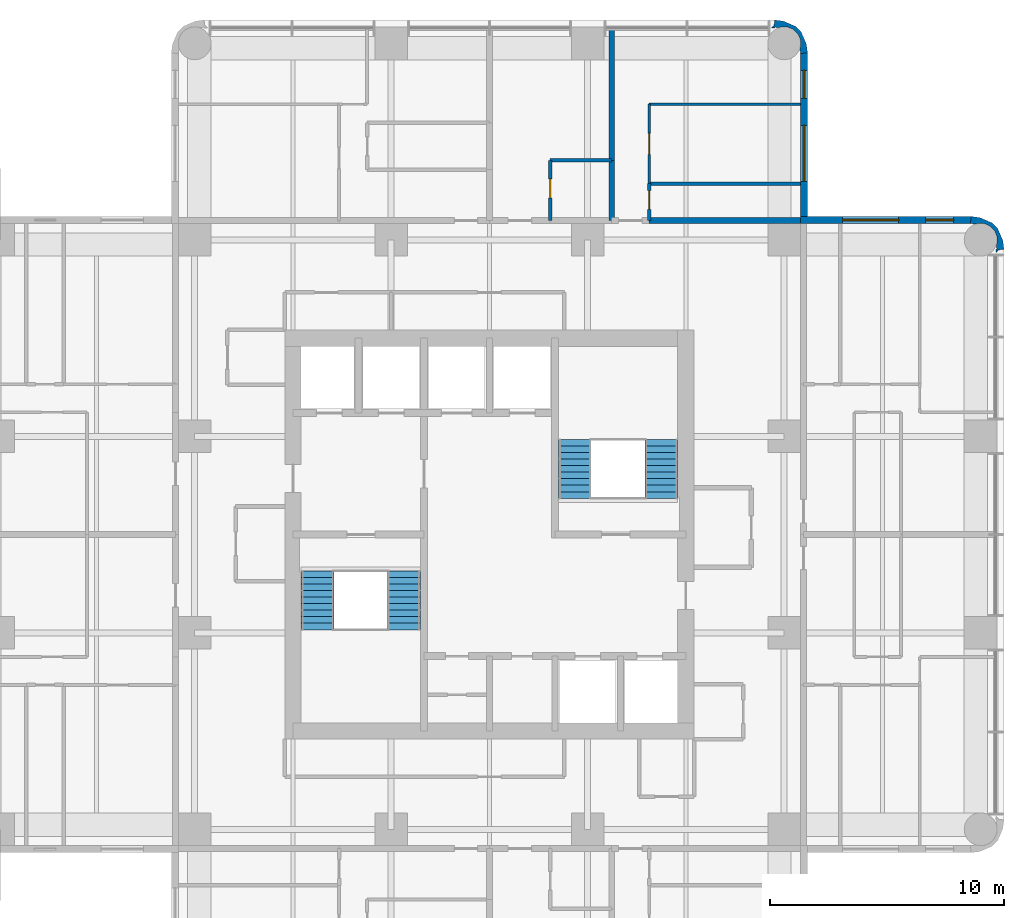
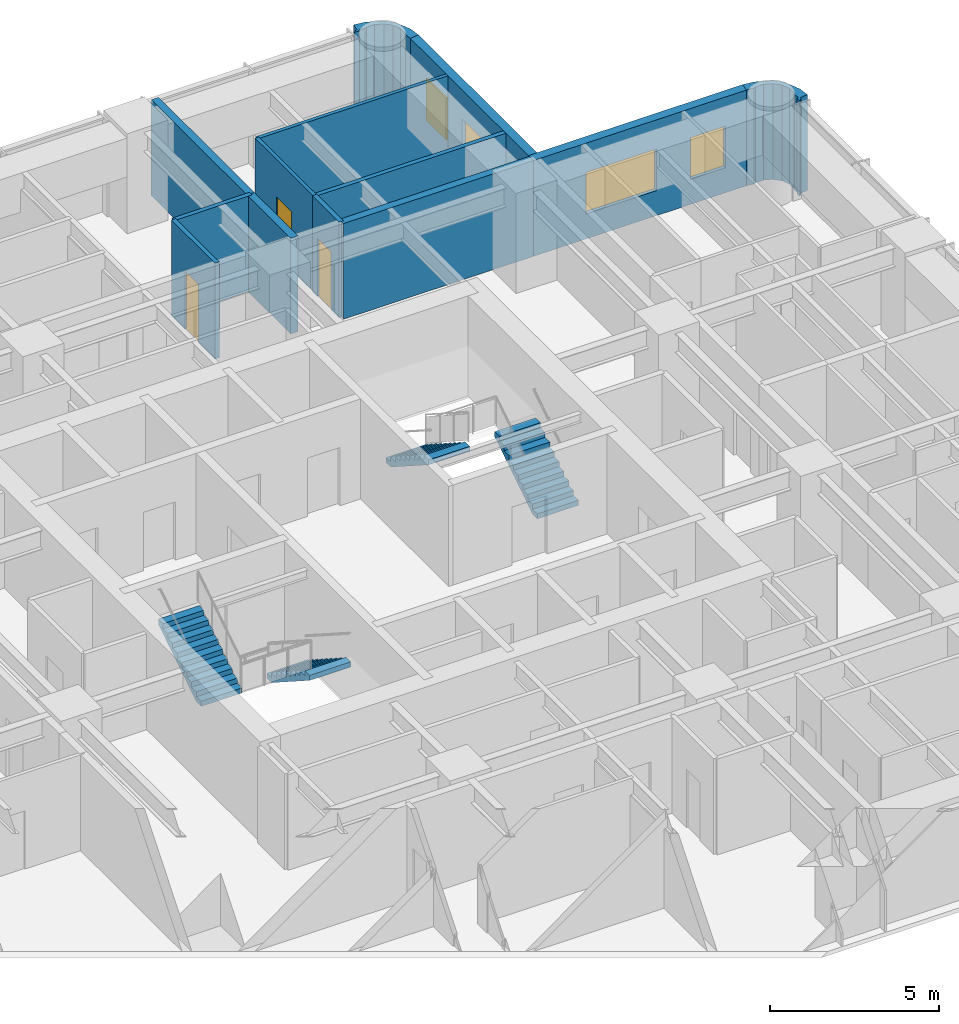
# One storey, part 10 of 11: 13 walls, 4 stair flights, 4 windows, 3 doors, 7 openings, 2 elements without a shape of their own.
"""IFC4 building model written with IfcOpenShell, lengths in metres."""

import ifcopenshell
import ifcopenshell.guid

model = None  # the IFC model being written
_history = None  # IfcOwnerHistory: only IFC2X3 demands one
_inside = {}  # id of a spatial element -> (the spatial element, [elements in it])
_under = {}  # id of a project, library or spatial element -> (it, [spatial elements below it])
_declared = {}  # id of a project -> (the project, [libraries it declares])
_typed = {}  # id of a type object -> (the type object, [elements of that type])
_made_of = {}  # id of a material, layer set ... -> (it, [elements and type objects made of it])


def new_model(schema):
    """Start an empty IFC model of exactly this schema.

    Asked for "IFC4X3", IfcOpenShell would pick the latest addendum, in which some entities
    have other attributes; the version numbers below select the first issue.
    IFC2X3 requires an IfcOwnerHistory on every rooted entity: one is made here for all.
    """
    global model, _history
    if schema == "IFC4X3":
        model = ifcopenshell.file(schema_version=(4, 3, 0, 0))
    else:
        model = ifcopenshell.file(schema=schema)
    _inside.clear()
    _under.clear()
    _declared.clear()
    _typed.clear()
    _made_of.clear()
    _history = None
    if model.schema == "IFC2X3":
        org = make("IfcOrganization", Name="unknown")
        user = make(
            "IfcPersonAndOrganization",
            ThePerson=make("IfcPerson", FamilyName="unknown"),
            TheOrganization=org,
        )
        app = make(
            "IfcApplication",
            ApplicationDeveloper=org,
            Version="unknown",
            ApplicationFullName="unknown",
            ApplicationIdentifier="unknown",
        )
        _history = make(
            "IfcOwnerHistory",
            OwningUser=user,
            OwningApplication=app,
            ChangeAction="ADDED",
            CreationDate=0,
        )
    return model


def make(cls, **values):
    """One entity of the class cls with the attributes given. An attribute that is None is left unset."""
    return model.create_entity(
        cls, **{name: value for name, value in values.items() if value is not None}
    )


def rooted(cls, **values):
    """An entity with a GlobalId (a new one), such as an element, a storey or a relation."""
    return make(cls, GlobalId=ifcopenshell.guid.new(), OwnerHistory=_history, **values)


def si_unit(unit_type, name, prefix=None):
    """IfcSIUnit, for example si_unit("LENGTHUNIT", "METRE", prefix="MILLI")."""
    return make("IfcSIUnit", UnitType=unit_type, Prefix=prefix, Name=name)


def assignment(units):
    """IfcUnitAssignment: the units of a project."""
    return None if units is None else make("IfcUnitAssignment", Units=units)


def point(xyz):
    """IfcCartesianPoint."""
    return None if xyz is None else make("IfcCartesianPoint", Coordinates=xyz)


def direction(xyz):
    """IfcDirection."""
    return None if xyz is None else make("IfcDirection", DirectionRatios=xyz)


def frame(location, z_axis=None, x_axis=None):
    """IfcAxis2Placement3D, a coordinate frame: its origin and axes. An axis left out is left unset."""
    return make(
        "IfcAxis2Placement3D",
        Location=point(location),
        Axis=direction(z_axis),
        RefDirection=direction(x_axis),
    )


def frame_2d(location, x_axis=None):
    """IfcAxis2Placement2D, a coordinate frame in the plane: its origin and x axis."""
    return make(
        "IfcAxis2Placement2D", Location=point(location), RefDirection=direction(x_axis)
    )


def origin():
    """The frame at (0, 0, 0) with its axes left unset."""
    return frame((0.0, 0.0, 0.0))


def place(relative_to, where):
    """IfcLocalPlacement: puts the frame where relative to a parent placement (None: the world)."""
    return make(
        "IfcLocalPlacement", PlacementRelTo=relative_to, RelativePlacement=where
    )


def context(
    kind, dimensions, precision=None, world=None, true_north=None, identifier=None
):
    """IfcGeometricRepresentationContext, for example the 3D "Model" context."""
    return make(
        "IfcGeometricRepresentationContext",
        ContextIdentifier=identifier,
        ContextType=kind,
        CoordinateSpaceDimension=dimensions,
        Precision=precision,
        WorldCoordinateSystem=world,
        TrueNorth=true_north,
    )


def subcontext(parent, identifier, kind, view, scale=None):
    """IfcGeometricRepresentationSubContext, for example "Body" below "Model"."""
    return make(
        "IfcGeometricRepresentationSubContext",
        ContextIdentifier=identifier,
        ContextType=kind,
        ParentContext=parent,
        TargetScale=scale,
        TargetView=view,
    )


def project(units=None, contexts=None):
    """IfcProject with its units and contexts."""
    return rooted(
        "IfcProject",
        Name="project",
        RepresentationContexts=contexts,
        UnitsInContext=assignment(units),
    )


def spatial(cls, under=None, at=None, **own):
    """A site, building, storey or space (cls), placed at a placement, below another one or the project."""
    s = rooted(cls, ObjectPlacement=at, **own)
    if under is not None:
        _under.setdefault(under.id(), (under, []))[1].append(s)
    return s


def polyline(points):
    """IfcPolyline through the points."""
    return make("IfcPolyline", Points=[point(p) for p in points])


def profile(cls, at=None, kind="AREA", **sizes):
    """A parametric profile (cls). Its sizes go by their IFC names, for example OverallWidth=200.0."""
    return make(cls, ProfileType=kind, Position=at, **sizes)


def rectangle(**sizes):
    """IfcRectangleProfileDef."""
    return profile("IfcRectangleProfileDef", **sizes)


def outline(outer, holes=None, kind="AREA"):
    """IfcArbitraryClosedProfileDef: a profile drawn as a closed curve; with holes, ...WithVoids."""
    if holes is None:
        return make("IfcArbitraryClosedProfileDef", ProfileType=kind, OuterCurve=outer)
    return make(
        "IfcArbitraryProfileDefWithVoids",
        ProfileType=kind,
        OuterCurve=outer,
        InnerCurves=holes,
    )


def extrude(swept, where, along, depth):
    """IfcExtrudedAreaSolid: the profile swept, set in the frame where, extruded along a direction by depth."""
    return make(
        "IfcExtrudedAreaSolid",
        SweptArea=swept,
        Position=where,
        ExtrudedDirection=direction(along),
        Depth=depth,
    )


def shape(context_of_items, identifier, shape_type, items):
    """IfcShapeRepresentation: the items that make up one representation, for example the "Body"."""
    return make(
        "IfcShapeRepresentation",
        ContextOfItems=context_of_items,
        RepresentationIdentifier=identifier,
        RepresentationType=shape_type,
        Items=items,
    )


def material(Name=None, Category=None):
    """IfcMaterial."""
    return make("IfcMaterial", Name=Name, Category=Category)


def layer(
    of_material, thickness, ventilated=None, Name=None, Category=None, Priority=None
):
    """IfcMaterialLayer: one layer of a wall or slab, of a material (None: an air gap)."""
    return make(
        "IfcMaterialLayer",
        Material=of_material,
        LayerThickness=thickness,
        IsVentilated=ventilated,
        Name=Name,
        Category=Category,
        Priority=Priority,
    )


def layer_set(layers, Name=None):
    """IfcMaterialLayerSet."""
    return make("IfcMaterialLayerSet", MaterialLayers=layers, LayerSetName=Name)


def made_of(thing, what):
    """Note that an element or type object is made of a material, layer set ...; save() writes the relation."""
    if what is not None:
        _made_of.setdefault(what.id(), (what, []))[1].append(thing)
    return thing


def type_object(cls, material=None, **own):
    """A type object (cls), such as IfcWallType, which elements share."""
    return made_of(rooted(cls, **own), material)


def element(
    cls,
    number,
    at=None,
    inside=None,
    cuts=None,
    type_object=None,
    material=None,
    context=None,
    identifier="Body",
    shape_type=None,
    held_by="IfcProductDefinitionShape",
    body=None,
    shapes=None,
    **own,
):
    """One element of the class cls, such as IfcWall. Its Tag is "e" and its number.

    at: its placement. inside: the storey or other place that contains it. cuts: it is an
    opening in that element (IfcRelVoidsElement). A single representation is given by context,
    identifier, shape_type and body (its items); several are given by shapes. held_by: the class
    of the entity that holds the representations. save() writes the other relations.
    """
    e = rooted(cls, Tag="e%d" % number, ObjectPlacement=at, **own)
    if body is not None:
        shapes = [shape(context, identifier, shape_type, body)]
    if shapes is not None:
        e.Representation = make(held_by, Representations=shapes)
    if inside is not None:
        _inside.setdefault(inside.id(), (inside, []))[1].append(e)
    if cuts is not None:
        rooted(
            "IfcRelVoidsElement", RelatingBuildingElement=cuts, RelatedOpeningElement=e
        )
    if type_object is not None:
        _typed.setdefault(type_object.id(), (type_object, []))[1].append(e)
    return made_of(e, material)


def fill(opening, filler):
    """IfcRelFillsElement: the door or window that sits in an opening."""
    return rooted(
        "IfcRelFillsElement",
        RelatingOpeningElement=opening,
        RelatedBuildingElement=filler,
    )


def aggregate(whole, parts):
    """IfcRelAggregates: a whole, such as a stair, and the parts it consists of."""
    return rooted("IfcRelAggregates", RelatingObject=whole, RelatedObjects=parts)


def save(model, path):
    """Write the relations noted so far, then the file.

    IfcRelAggregates (storeys below a building ...), IfcRelContainedInSpatialStructure (elements
    in a storey), IfcRelDefinesByType, IfcRelAssociatesMaterial and IfcRelDeclares: one each for
    every whole, place, type object, material and project.
    """
    for whole, parts in _under.values():
        aggregate(whole, parts)
    for where, things in _inside.values():
        rooted(
            "IfcRelContainedInSpatialStructure",
            RelatedElements=things,
            RelatingStructure=where,
        )
    for kind, things in _typed.values():
        rooted("IfcRelDefinesByType", RelatedObjects=things, RelatingType=kind)
    for what, things in _made_of.values():
        rooted("IfcRelAssociatesMaterial", RelatedObjects=things, RelatingMaterial=what)
    for by, libraries in _declared.values():
        rooted("IfcRelDeclares", RelatingContext=by, RelatedDefinitions=libraries)
    model.write(path)


model = new_model("IFC4")

# Units and contexts
model_context = context("Model", 3, precision=1e-05, world=origin(), true_north=direction((0.0, 1.0)))
body_context = subcontext(model_context, "Body", "Model", "MODEL_VIEW")
ifc_project = project(units=[si_unit("LENGTHUNIT", "METRE"), si_unit("AREAUNIT", "SQUARE_METRE"), si_unit("VOLUMEUNIT", "CUBIC_METRE"), si_unit("PLANEANGLEUNIT", "RADIAN"), si_unit("MASSUNIT", "GRAM", prefix="KILO")], contexts=[model_context])

# Site, building, storey
site_placement = place(None, origin())
site = spatial("IfcSite", under=ifc_project, at=site_placement, CompositionType="ELEMENT")
building_placement = place(site_placement, origin())
building = spatial("IfcBuilding", under=site, at=building_placement, Name="Torre Alcanfor", CompositionType="ELEMENT")
storey_placement = place(building_placement, frame((0.0, 0.0, 208.5)))
storey = spatial("IfcBuildingStorey", under=building, at=storey_placement, Name="L54", CompositionType="ELEMENT", Elevation=208.5)

# Walls
ifc_material_1 = material(Name="Concrete block masonry, hollow blocks NMX-C-404 9 MPa", Category="masonry")
ifc_layer_1 = layer(ifc_material_1, 0.25)
ifc_layer_set_1 = layer_set([ifc_layer_1], Name="Apartment entrance wall 250 EI 60")
wall_type_1 = type_object("IfcWallType", Name="Apartment entrance wall 250 EI 60", PredefinedType="PARTITIONING", material=ifc_layer_set_1)
wall_1_placement = place(storey_placement, frame((36.22900390625, 42.824951171875, 0.0), z_axis=(0.0, 0.0, 1.0), x_axis=(1.0, 0.0, 0.0)))
element("IfcWall", 1, at=wall_1_placement, inside=storey, type_object=wall_type_1, Name="Partition L54-CORR / L54-N2B-BATH", PredefinedType="PARTITIONING", context=body_context, shape_type="SweptSolid", body=[
    extrude(rectangle(XDim=6.470947265625, YDim=0.25, at=frame_2d((3.2353515625, 0.0))), origin(), (0.0, 0.0, 1.0), 3.449951171875),
])
ifc_material_2 = material(Name="Gypsum board on steel studs", Category="steel")
ifc_layer_2 = layer(ifc_material_2, 0.1201171875)
ifc_layer_set_2 = layer_set([ifc_layer_2], Name="Apartment partition 120")
wall_type_2 = type_object("IfcWallType", Name="Apartment partition 120", PredefinedType="PARTITIONING", material=ifc_layer_set_2)
wall_2_placement = place(storey_placement, frame((42.699951171875, 47.800048828125, 0.0), z_axis=(0.0, 0.0, 1.0), x_axis=(-1.0, 0.0, 0.0)))
element("IfcWall", 2, at=wall_2_placement, inside=storey, type_object=wall_type_2, Name="Partition L54-N2B-LIVING / L54-N2B-MASTER", PredefinedType="PARTITIONING", context=body_context, shape_type="SweptSolid", body=[
    extrude(rectangle(XDim=6.470947265625, YDim=0.1201171875, at=frame_2d((3.2353515625, 0.0))), origin(), (0.0, 0.0, 1.0), 3.449951171875),
])

# Wall, opening, door
wall_3_placement = place(storey_placement, frame((36.22900390625, 47.800048828125, 0.0), z_axis=(0.0, 0.0, 1.0), x_axis=(0.0, -1.0, 0.0)))
wall_3 = element("IfcWall", 3, at=wall_3_placement, inside=storey, type_object=wall_type_2, Name="Partition L54-N2B-LIVING / L54-N2B-MASTER", PredefinedType="PARTITIONING", context=body_context, shape_type="SweptSolid", body=[
    extrude(rectangle(XDim=3.400146484375, YDim=0.1201171875, at=frame_2d((1.7001953125, 0.0))), origin(), (0.0, 0.0, 1.0), 3.449951171875),
])
opening_1_placement = place(wall_3_placement, frame((1.25, 0.0, 0.0)))
opening_1 = element("IfcOpeningElement", 4, at=opening_1_placement, cuts=wall_3, Name="Opening D-R1", PredefinedType="OPENING", context=body_context, shape_type="SweptSolid", body=[
    extrude(rectangle(XDim=0.89990234375, YDim=2.10009765625, at=frame_2d((0.449951171875, 1.050048828125))), frame((0.0, 0.070068359375, 0.0), z_axis=(0.0, -1.0, 0.0), x_axis=(1.0, 0.0, 0.0)), (0.0, 0.0, 1.0), 0.14013671875),
])
ifc_material_3 = material(Name="Timber", Category="wood")
door_type_1 = type_object("IfcDoorType", Name="Internal door 900x2100", OperationType="SINGLE_SWING_LEFT", PredefinedType="DOOR", material=ifc_material_3)
door_1_placement = place(opening_1_placement, origin())
door_1 = element("IfcDoor", 5, at=door_1_placement, inside=storey, type_object=door_type_1, Name="Door L54-N2B master", OperationType="SINGLE_SWING_LEFT", OverallHeight=2.10009765625, OverallWidth=0.89990234375, PredefinedType="DOOR", context=body_context, shape_type="SweptSolid", body=[
    extrude(rectangle(XDim=0.89990234375, YDim=2.10009765625, at=frame_2d((0.449951171875, 1.050048828125))), frame((0.0, 0.02490234375, 0.0), z_axis=(0.0, -1.0, 0.0), x_axis=(1.0, 0.0, 0.0)), (0.0, 0.0, 1.0), 0.050048828125),
])
fill(opening_1, door_1)

# Wall, openings, windows
ifc_material_4 = material(Name="Limestone cladding", Category="masonry")
ifc_layer_3 = layer(ifc_material_4, 0.0400390625, Name="Facing")
ifc_material_5 = material(Name="Ventilated air cavity")
ifc_layer_4 = layer(ifc_material_5, 0.02001953125, ventilated=True, Name="Ventilated joint")
ifc_material_6 = material(Name="Mineral wool insulation", Category="insulation")
ifc_layer_5 = layer(ifc_material_6, 0.10009765625, Name="Insulation")
ifc_material_7 = material(Name="Concrete f'c 35 MPa", Category="concrete")
ifc_layer_6 = layer(ifc_material_7, 0.139892578125, Name="Backing")
ifc_layer_set_3 = layer_set([ifc_layer_3, ifc_layer_4, ifc_layer_5, ifc_layer_6], Name="External wall stone-clad 300")
wall_type_3 = type_object("IfcWallType", Name="External wall stone-clad 300", PredefinedType="SOLIDWALL", material=ifc_layer_set_3)
wall_4_placement = place(storey_placement, frame((50.0, 42.85009765625, 0.0), z_axis=(0.0, 0.0, 1.0), x_axis=(-1.0, 0.0, 0.0)))
wall_4 = element("IfcWall", 6, at=wall_4_placement, inside=storey, type_object=wall_type_3, Name="External wall L54 9", PredefinedType="SOLIDWALL", context=body_context, shape_type="SweptSolid", body=[
    extrude(rectangle(XDim=7.300048828125, YDim=0.300048828125, at=frame_2d((3.64990234375, 0.0))), origin(), (0.0, 0.0, 1.0), 3.449951171875),
])
opening_2_placement = place(wall_4_placement, frame((3.10009765625, 0.0, 0.89990234375)))
opening_2 = element("IfcOpeningElement", 7, at=opening_2_placement, cuts=wall_4, Name="Opening W1", PredefinedType="OPENING", context=body_context, shape_type="SweptSolid", body=[
    extrude(rectangle(XDim=2.39990234375, YDim=1.5, at=frame_2d((1.199951171875, 0.75))), frame((0.0, 0.159912109375, 0.0), z_axis=(0.0, -1.0, 0.0), x_axis=(1.0, 0.0, 0.0)), (0.0, 0.0, 1.0), 0.320068359375),
])
opening_3_placement = place(wall_4_placement, frame((0.75, 0.0, 0.89990234375)))
opening_3 = element("IfcOpeningElement", 8, at=opening_3_placement, cuts=wall_4, Name="Opening W4", PredefinedType="OPENING", context=body_context, shape_type="SweptSolid", body=[
    extrude(rectangle(XDim=1.199951171875, YDim=1.5, at=frame_2d((0.60009765625, 0.75))), frame((0.0, 0.159912109375, 0.0), z_axis=(0.0, -1.0, 0.0), x_axis=(1.0, 0.0, 0.0)), (0.0, 0.0, 1.0), 0.320068359375),
])
ifc_material_8 = material(Name="Aluminium frame with clear double glazing", Category="aluminium")
window_type_1 = type_object("IfcWindowType", Name="Window bedroom 1200x1500", PartitioningType="SINGLE_PANEL", PredefinedType="WINDOW", material=ifc_material_8)
window_1_placement = place(opening_3_placement, origin())
window_1 = element("IfcWindow", 9, at=window_1_placement, inside=storey, type_object=window_type_1, Name="Window W4 L54-E1", OverallHeight=1.5, OverallWidth=1.199951171875, PartitioningType="SINGLE_PANEL", PredefinedType="WINDOW", context=body_context, shape_type="SweptSolid", body=[
    extrude(rectangle(XDim=1.199951171875, YDim=1.5, at=frame_2d((0.60009765625, 0.75))), frame((0.0, 0.030029296875, 0.0), z_axis=(0.0, -1.0, 0.0), x_axis=(1.0, 0.0, 0.0)), (0.0, 0.0, 1.0), 0.06005859375),
])
fill(opening_3, window_1)
ifc_material_9 = material(Name="Aluminium frame with clear double glazing", Category="aluminium")
window_type_2 = type_object("IfcWindowType", Name="Window bedroom 2400x1500", PartitioningType="SINGLE_PANEL", PredefinedType="WINDOW", material=ifc_material_9)
window_2_placement = place(opening_2_placement, origin())
window_2 = element("IfcWindow", 10, at=window_2_placement, inside=storey, type_object=window_type_2, Name="Window W1 L54-E1", OverallHeight=1.5, OverallWidth=2.39990234375, PartitioningType="SINGLE_PANEL", PredefinedType="WINDOW", context=body_context, shape_type="SweptSolid", body=[
    extrude(rectangle(XDim=2.39990234375, YDim=1.5, at=frame_2d((1.199951171875, 0.75))), frame((0.0, 0.030029296875, 0.0), z_axis=(0.0, -1.0, 0.0), x_axis=(1.0, 0.0, 0.0)), (0.0, 0.0, 1.0), 0.06005859375),
])
fill(opening_2, window_2)

wall_5_placement = place(storey_placement, frame((42.85009765625, 43.0, 0.0), z_axis=(0.0, 0.0, 1.0), x_axis=(0.0, 1.0, 0.0)))
wall_5 = element("IfcWall", 11, at=wall_5_placement, inside=storey, type_object=wall_type_3, Name="External wall L54 10", PredefinedType="SOLIDWALL", context=body_context, shape_type="SweptSolid", body=[
    extrude(rectangle(XDim=7.0, YDim=0.300048828125, at=frame_2d((3.5, 0.0))), origin(), (0.0, 0.0, 1.0), 3.449951171875),
])
opening_4_placement = place(wall_5_placement, frame((1.5, 0.0, 0.89990234375)))
opening_4 = element("IfcOpeningElement", 12, at=opening_4_placement, cuts=wall_5, Name="Opening W1", PredefinedType="OPENING", context=body_context, shape_type="SweptSolid", body=[
    extrude(rectangle(XDim=2.39990234375, YDim=1.5, at=frame_2d((1.199951171875, 0.75))), frame((0.0, 0.159912109375, 0.0), z_axis=(0.0, -1.0, 0.0), x_axis=(1.0, 0.0, 0.0)), (0.0, 0.0, 1.0), 0.320068359375),
])
opening_5_placement = place(wall_5_placement, frame((5.050048828125, 0.0, 0.89990234375)))
opening_5 = element("IfcOpeningElement", 13, at=opening_5_placement, cuts=wall_5, Name="Opening W4", PredefinedType="OPENING", context=body_context, shape_type="SweptSolid", body=[
    extrude(rectangle(XDim=1.199951171875, YDim=1.5, at=frame_2d((0.60009765625, 0.75))), frame((0.0, 0.159912109375, 0.0), z_axis=(0.0, -1.0, 0.0), x_axis=(1.0, 0.0, 0.0)), (0.0, 0.0, 1.0), 0.320068359375),
])
window_3_placement = place(opening_5_placement, origin())
window_3 = element("IfcWindow", 14, at=window_3_placement, inside=storey, type_object=window_type_1, Name="Window W4 L54-N2", OverallHeight=1.5, OverallWidth=1.199951171875, PartitioningType="SINGLE_PANEL", PredefinedType="WINDOW", context=body_context, shape_type="SweptSolid", body=[
    extrude(rectangle(XDim=1.199951171875, YDim=1.5, at=frame_2d((0.60009765625, 0.75))), frame((0.0, 0.030029296875, 0.0), z_axis=(0.0, -1.0, 0.0), x_axis=(1.0, 0.0, 0.0)), (0.0, 0.0, 1.0), 0.06005859375),
])
fill(opening_5, window_3)
window_4_placement = place(opening_4_placement, origin())
window_4 = element("IfcWindow", 15, at=window_4_placement, inside=storey, type_object=window_type_2, Name="Window W1 L54-N2", OverallHeight=1.5, OverallWidth=2.39990234375, PartitioningType="SINGLE_PANEL", PredefinedType="WINDOW", context=body_context, shape_type="SweptSolid", body=[
    extrude(rectangle(XDim=2.39990234375, YDim=1.5, at=frame_2d((1.199951171875, 0.75))), frame((0.0, 0.030029296875, 0.0), z_axis=(0.0, -1.0, 0.0), x_axis=(1.0, 0.0, 0.0)), (0.0, 0.0, 1.0), 0.06005859375),
])
fill(opening_4, window_4)

# Walls
ifc_material_10 = material(Name="Concrete block masonry, hollow blocks NMX-C-404 9 MPa", Category="masonry")
ifc_layer_7 = layer(ifc_material_10, 0.25)
ifc_layer_set_4 = layer_set([ifc_layer_7], Name="Party wall 250 EI 60")
wall_type_4 = type_object("IfcWallType", Name="Party wall 250 EI 60", PredefinedType="PARTITIONING", material=ifc_layer_set_4)
wall_6_placement = place(storey_placement, frame((34.62890625, 51.050048828125, 0.0), z_axis=(0.0, 0.0, 1.0), x_axis=(0.0, -1.0, 0.0)))
element("IfcWall", 16, at=wall_6_placement, inside=storey, type_object=wall_type_4, Name="Partition L54-N2A-STUDIO / L54-N2B-LIVING", PredefinedType="PARTITIONING", context=body_context, shape_type="SweptSolid", body=[
    extrude(rectangle(XDim=5.650146484375, YDim=0.25, at=frame_2d((2.8251953125, 0.0))), origin(), (0.0, 0.0, 1.0), 3.449951171875),
])
wall_7_placement = place(storey_placement, frame((34.62890625, 45.39990234375, 0.0), z_axis=(0.0, 0.0, 1.0), x_axis=(0.0, -1.0, 0.0)))
element("IfcWall", 17, at=wall_7_placement, inside=storey, type_object=wall_type_4, Name="Partition L54-N2A-BATH / L54-N2B-LIVING", PredefinedType="PARTITIONING", context=body_context, shape_type="SweptSolid", body=[
    extrude(rectangle(XDim=2.574951171875, YDim=0.25, at=frame_2d((1.28759765625, 0.0))), origin(), (0.0, 0.0, 1.0), 3.449951171875),
])
ifc_layer_8 = layer(ifc_material_4, 0.0400390625, Name="Facing")
ifc_layer_9 = layer(ifc_material_5, 0.02001953125, ventilated=True, Name="Ventilated joint")
ifc_layer_10 = layer(ifc_material_6, 0.10009765625, Name="Insulation")
ifc_layer_11 = layer(ifc_material_7, 0.139892578125, Name="Backing")
ifc_layer_set_5 = layer_set([ifc_layer_8, ifc_layer_9, ifc_layer_10, ifc_layer_11], Name="Rounded corner pier stone-clad 300")
wall_type_5 = type_object("IfcWallType", Name="Rounded corner pier stone-clad 300", PredefinedType="SOLIDWALL", material=ifc_layer_set_5)
wall_8_placement = place(storey_placement, frame((50.98815184, 41.487674505, 0.0), z_axis=(0.0, 0.0, 1.0), x_axis=(0.898030234854, 0.439933741929, 0.0)))
element("IfcWall", 18, at=wall_8_placement, inside=storey, type_object=wall_type_5, Name="Corner pier L54 18", PredefinedType="SOLIDWALL", context=body_context, shape_type="SweptSolid", body=[
    extrude(outline(polyline([(0.13762845900144902, -0.0395605783475044), (0.18185793649134802, -0.00033087416050568697), (0.41922313919285215, -0.08018355093564442), (0.535860291835806, 0.2661211239178742), (0.5587746083679793, 0.6308813409414961), (0.5545700157158291, 0.6511558966825934), (0.5663920082639611, 0.8356681075750403), (0.45545119814889223, 1.159160361177863), (0.33312688681130387, 1.297925592490813), (0.32402252373636403, 1.3165225487705126), (0.08234923743790223, 1.5906923948786469), (-0.22206721491752535, 1.7928353560160377), (-0.38958661601048106, 1.540782159618673), (-0.3718277173231749, 1.5320822980229156), (-0.19464371431186422, 1.4142897687749243), (-0.11970407362674929, 1.4096575385515544), (0.13067447329798665, 1.2870002306212465), (0.31526160288378063, 1.0777694581339308), (0.4057356995697948, 0.8140544036891404), (0.38812563637514036, 0.5355946934281371), (0.26546832844483254, 0.28521614650340116), (0.2089867161004748, 0.23540500505176065), (0.14757776297591008, 0.05289210976982966), (0.10504410439149783, 0.07372881532016215), (0.03190082356790798, -0.07557748105089318), (0.13762845900144902, -0.0395605783475044)])), origin(), (0.0, 0.0, 1.0), 3.449951171875),
])
wall_9_placement = place(storey_placement, frame((42.724211819, 50.110315272, 0.0), z_axis=(0.0, 0.0, 1.0), x_axis=(0.439933741929, 0.898030234854, 0.0)))
element("IfcWall", 19, at=wall_9_placement, inside=storey, type_object=wall_type_5, Name="Corner pier L54 19", PredefinedType="SOLIDWALL", context=body_context, shape_type="SweptSolid", body=[
    extrude(outline(polyline([(-0.14525732426811072, -0.04414433895897353), (0.0222620768248451, -0.29619753535633836), (0.3266785291802725, -0.09405457421894756), (0.5683518154787345, 0.1801152718891868), (0.5774561785536743, 0.19871222816888634), (0.6997804898912626, 0.33747745948183633), (0.8107213000063315, 0.6609697130846591), (0.7988993074581994, 0.8454819239771059), (0.8031039001103497, 0.8657564797182034), (0.7801895835781762, 1.2305166967418253), (0.6635524309352225, 1.5768213715953436), (0.42618722823371835, 1.496968694820205), (0.38195775074381944, 1.5361983990072037), (0.2762301153102783, 1.5722153017105926), (0.3493733961338682, 1.4229090053395372), (0.39190705471828047, 1.4437457108898697), (0.45331600784284515, 1.2612328156079387), (0.5097976201872029, 1.2114216741562982), (0.6324549281175107, 0.9610431272315622), (0.6500649913121652, 0.6825834169705589), (0.559590894626151, 0.4188683625257686), (0.37500376504035704, 0.20963759003845278), (0.1246252181156211, 0.08698028210814499), (0.04968557743050611, 0.08234805188477495), (-0.12749842558080457, -0.035444477363216154), (-0.14525732426811072, -0.04414433895897353)])), origin(), (0.0, 0.0, 1.0), 3.449951171875),
])
ifc_material_11 = material(Name="Cement board on steel studs", Category="steel")
ifc_layer_12 = layer(ifc_material_11, 0.14990234375)
ifc_layer_set_6 = layer_set([ifc_layer_12], Name="Wet area partition 150")
wall_type_6 = type_object("IfcWallType", Name="Wet area partition 150", PredefinedType="PARTITIONING", material=ifc_layer_set_6)
wall_10_placement = place(storey_placement, frame((34.62890625, 45.39990234375, 0.0), z_axis=(0.0, 0.0, 1.0), x_axis=(-1.0, 0.0, 0.0)))
element("IfcWall", 20, at=wall_10_placement, inside=storey, type_object=wall_type_6, Name="Partition L54-N2A-STUDIO / L54-N2A-BATH", PredefinedType="PARTITIONING", context=body_context, shape_type="SweptSolid", body=[
    extrude(rectangle(XDim=2.62890625, YDim=0.14990234375, at=frame_2d((1.314453125, 0.0))), origin(), (0.0, 0.0, 1.0), 3.449951171875),
])

# Wall, opening, door
wall_11_placement = place(storey_placement, frame((32.0, 45.39990234375, 0.0), z_axis=(0.0, 0.0, 1.0), x_axis=(0.0, -1.0, 0.0)))
wall_11 = element("IfcWall", 21, at=wall_11_placement, inside=storey, type_object=wall_type_6, Name="Partition L54-N2A-STUDIO / L54-N2A-BATH", PredefinedType="PARTITIONING", context=body_context, shape_type="SweptSolid", body=[
    extrude(rectangle(XDim=2.574951171875, YDim=0.14990234375, at=frame_2d((1.28759765625, 0.0))), origin(), (0.0, 0.0, 1.0), 3.449951171875),
])
opening_6_placement = place(wall_11_placement, frame((0.800048828125, 0.0, 0.0)))
opening_6 = element("IfcOpeningElement", 22, at=opening_6_placement, cuts=wall_11, Name="Opening D-R2", PredefinedType="OPENING", context=body_context, shape_type="SweptSolid", body=[
    extrude(rectangle(XDim=0.800048828125, YDim=2.10009765625, at=frame_2d((0.39990234375, 1.050048828125))), frame((0.0, 0.0849609375, 0.0), z_axis=(0.0, -1.0, 0.0), x_axis=(1.0, 0.0, 0.0)), (0.0, 0.0, 1.0), 0.169921875),
])
ifc_material_12 = material(Name="Timber", Category="wood")
door_type_2 = type_object("IfcDoorType", Name="Bathroom door 800x2100", OperationType="SINGLE_SWING_LEFT", PredefinedType="DOOR", material=ifc_material_12)
door_2_placement = place(opening_6_placement, origin())
door_2 = element("IfcDoor", 23, at=door_2_placement, inside=storey, type_object=door_type_2, Name="Door L54-N2A bath", OperationType="SINGLE_SWING_LEFT", OverallHeight=2.10009765625, OverallWidth=0.800048828125, PredefinedType="DOOR", context=body_context, shape_type="SweptSolid", body=[
    extrude(rectangle(XDim=0.800048828125, YDim=2.10009765625, at=frame_2d((0.39990234375, 1.050048828125))), frame((0.0, 0.02490234375, 0.0), z_axis=(0.0, -1.0, 0.0), x_axis=(1.0, 0.0, 0.0)), (0.0, 0.0, 1.0), 0.050048828125),
])
fill(opening_6, door_2)

wall_12_placement = place(storey_placement, frame((36.22900390625, 44.39990234375, 0.0), z_axis=(0.0, 0.0, 1.0), x_axis=(0.0, -1.0, 0.0)))
wall_12 = element("IfcWall", 24, at=wall_12_placement, inside=storey, type_object=wall_type_6, Name="Partition L54-N2B-LIVING / L54-N2B-BATH", PredefinedType="PARTITIONING", context=body_context, shape_type="SweptSolid", body=[
    extrude(rectangle(XDim=1.574951171875, YDim=0.14990234375, at=frame_2d((0.78759765625, 0.0))), origin(), (0.0, 0.0, 1.0), 3.449951171875),
])
opening_7_placement = place(wall_12_placement, frame((0.300048828125, 0.0, 0.0)))
opening_7 = element("IfcOpeningElement", 25, at=opening_7_placement, cuts=wall_12, Name="Opening D-R2", PredefinedType="OPENING", context=body_context, shape_type="SweptSolid", body=[
    extrude(rectangle(XDim=0.800048828125, YDim=2.10009765625, at=frame_2d((0.39990234375, 1.050048828125))), frame((0.0, 0.0849609375, 0.0), z_axis=(0.0, -1.0, 0.0), x_axis=(1.0, 0.0, 0.0)), (0.0, 0.0, 1.0), 0.169921875),
])
door_3_placement = place(opening_7_placement, origin())
door_3 = element("IfcDoor", 26, at=door_3_placement, inside=storey, type_object=door_type_2, Name="Door L54-N2B bath", OperationType="SINGLE_SWING_LEFT", OverallHeight=2.10009765625, OverallWidth=0.800048828125, PredefinedType="DOOR", context=body_context, shape_type="SweptSolid", body=[
    extrude(rectangle(XDim=0.800048828125, YDim=2.10009765625, at=frame_2d((0.39990234375, 1.050048828125))), frame((0.0, 0.02490234375, 0.0), z_axis=(0.0, -1.0, 0.0), x_axis=(1.0, 0.0, 0.0)), (0.0, 0.0, 1.0), 0.050048828125),
])
fill(opening_7, door_3)

# Wall
wall_13_placement = place(storey_placement, frame((36.22900390625, 44.39990234375, 0.0), z_axis=(0.0, 0.0, 1.0), x_axis=(1.0, 0.0, 0.0)))
element("IfcWall", 27, at=wall_13_placement, inside=storey, type_object=wall_type_6, Name="Partition L54-N2B-BATH / L54-N2B-MASTER", PredefinedType="PARTITIONING", context=body_context, shape_type="SweptSolid", body=[
    extrude(rectangle(XDim=6.470947265625, YDim=0.14990234375, at=frame_2d((3.2353515625, 0.0))), origin(), (0.0, 0.0, 1.0), 3.449951171875),
])

# Stair, stair flights
ifc_material_13 = material(Name="Concrete f'c 35 MPa", Category="concrete")
stair_type_1 = type_object("IfcStairType", Name="Exit stair S1 1400 wide", PredefinedType="HALF_TURN_STAIR", material=ifc_material_13)
stair_1_placement = place(storey_placement, origin())
stair_1 = element("IfcStair", 28, at=stair_1_placement, inside=storey, type_object=stair_type_1, Name="Stair S1 L54 to L55", PredefinedType="HALF_TURN_STAIR")
ifc_material_14 = material(Name="Concrete f'c 35 MPa", Category="concrete")
stair_flight_type = type_object("IfcStairFlightType", Name="Stair flight 1400", PredefinedType="STRAIGHT", material=ifc_material_14)
stair_flight_1_placement = place(storey_placement, frame((25.75, 27.85009765625, 0.0), z_axis=(0.0, 0.0, 1.0), x_axis=(0.0, -1.0, 0.0)))
stair_flight_1 = element("IfcStairFlight", 29, at=stair_flight_1_placement, type_object=stair_flight_type, Name="S1 flight 1", NumberOfRisers=10, NumberOfTreads=9, PredefinedType="STRAIGHT", RiserHeight=0.18, TreadLength=0.28, context=body_context, shape_type="SweptSolid", body=[
    extrude(outline(polyline([(0.0, 0.0), (0.0, 0.179931640625), (0.280029296875, 0.179931640625), (0.280029296875, 0.360107421875), (0.56005859375, 0.360107421875), (0.56005859375, 0.5400390625), (0.840087890625, 0.5400390625), (0.840087890625, 0.719970703125), (1.1201171875, 0.719970703125), (1.1201171875, 0.89990234375), (1.39990234375, 0.89990234375), (1.39990234375, 1.080078125), (1.679931640625, 1.080078125), (1.679931640625, 1.260009765625), (1.9599609375, 1.260009765625), (1.9599609375, 1.43994140625), (2.239990234375, 1.43994140625), (2.239990234375, 1.6201171875), (2.52001953125, 1.6201171875), (2.52001953125, 1.800048828125), (2.52001953125, 1.44189453125), (0.277099609375, 0.0), (0.0, 0.0)])), frame((0.0, 0.699951171875, 0.0), z_axis=(0.0, -1.0, 0.0), x_axis=(1.0, 0.0, 0.0)), (0.0, 0.0, 1.0), 1.39990234375),
])
stair_flight_2_placement = place(storey_placement, frame((22.050048828125, 25.330078125, 1.800048828125), z_axis=(0.0, 0.0, 1.0), x_axis=(0.0, 1.0, 0.0)))
stair_flight_2 = element("IfcStairFlight", 30, at=stair_flight_2_placement, type_object=stair_flight_type, Name="S1 flight 2", NumberOfRisers=10, NumberOfTreads=9, PredefinedType="STRAIGHT", RiserHeight=0.18, TreadLength=0.28, context=body_context, shape_type="SweptSolid", body=[
    extrude(outline(polyline([(0.0, 0.0), (0.0, 0.179931640625), (0.280029296875, 0.179931640625), (0.280029296875, 0.360107421875), (0.56005859375, 0.360107421875), (0.56005859375, 0.5400390625), (0.840087890625, 0.5400390625), (0.840087890625, 0.719970703125), (1.1201171875, 0.719970703125), (1.1201171875, 0.89990234375), (1.39990234375, 0.89990234375), (1.39990234375, 1.080078125), (1.679931640625, 1.080078125), (1.679931640625, 1.260009765625), (1.9599609375, 1.260009765625), (1.9599609375, 1.43994140625), (2.239990234375, 1.43994140625), (2.239990234375, 1.6201171875), (2.52001953125, 1.6201171875), (2.52001953125, 1.800048828125), (2.52001953125, 1.44189453125), (0.277099609375, 0.0), (0.0, 0.0)])), frame((0.0, 0.699951171875, 0.0), z_axis=(0.0, -1.0, 0.0), x_axis=(1.0, 0.0, 0.0)), (0.0, 0.0, 1.0), 1.39990234375),
])
aggregate(stair_1, [stair_flight_1, stair_flight_2])

ifc_material_15 = material(Name="Concrete f'c 35 MPa", Category="concrete")
stair_type_2 = type_object("IfcStairType", Name="Exit stair S2 1400 wide", PredefinedType="HALF_TURN_STAIR", material=ifc_material_15)
stair_2_placement = place(storey_placement, origin())
stair_2 = element("IfcStair", 31, at=stair_2_placement, inside=storey, type_object=stair_type_2, Name="Stair S2 L54 to L55", PredefinedType="HALF_TURN_STAIR")
stair_flight_3_placement = place(storey_placement, frame((36.75, 30.949951171875, 0.0), z_axis=(0.0, 0.0, 1.0), x_axis=(0.0, 1.0, 0.0)))
stair_flight_3 = element("IfcStairFlight", 32, at=stair_flight_3_placement, type_object=stair_flight_type, Name="S2 flight 1", NumberOfRisers=10, NumberOfTreads=9, PredefinedType="STRAIGHT", RiserHeight=0.18, TreadLength=0.28, context=body_context, shape_type="SweptSolid", body=[
    extrude(outline(polyline([(0.0, 0.0), (0.0, 0.179931640625), (0.280029296875, 0.179931640625), (0.280029296875, 0.360107421875), (0.56005859375, 0.360107421875), (0.56005859375, 0.5400390625), (0.840087890625, 0.5400390625), (0.840087890625, 0.719970703125), (1.1201171875, 0.719970703125), (1.1201171875, 0.89990234375), (1.39990234375, 0.89990234375), (1.39990234375, 1.080078125), (1.679931640625, 1.080078125), (1.679931640625, 1.260009765625), (1.9599609375, 1.260009765625), (1.9599609375, 1.43994140625), (2.239990234375, 1.43994140625), (2.239990234375, 1.6201171875), (2.52001953125, 1.6201171875), (2.52001953125, 1.800048828125), (2.52001953125, 1.44189453125), (0.277099609375, 0.0), (0.0, 0.0)])), frame((0.0, 0.699951171875, 0.0), z_axis=(0.0, -1.0, 0.0), x_axis=(1.0, 0.0, 0.0)), (0.0, 0.0, 1.0), 1.39990234375),
])
stair_flight_4_placement = place(storey_placement, frame((33.050048828125, 33.469970703125, 1.800048828125), z_axis=(0.0, 0.0, 1.0), x_axis=(0.0, -1.0, 0.0)))
stair_flight_4 = element("IfcStairFlight", 33, at=stair_flight_4_placement, type_object=stair_flight_type, Name="S2 flight 2", NumberOfRisers=10, NumberOfTreads=9, PredefinedType="STRAIGHT", RiserHeight=0.18, TreadLength=0.28, context=body_context, shape_type="SweptSolid", body=[
    extrude(outline(polyline([(0.0, 0.0), (0.0, 0.179931640625), (0.280029296875, 0.179931640625), (0.280029296875, 0.360107421875), (0.56005859375, 0.360107421875), (0.56005859375, 0.5400390625), (0.840087890625, 0.5400390625), (0.840087890625, 0.719970703125), (1.1201171875, 0.719970703125), (1.1201171875, 0.89990234375), (1.39990234375, 0.89990234375), (1.39990234375, 1.080078125), (1.679931640625, 1.080078125), (1.679931640625, 1.260009765625), (1.9599609375, 1.260009765625), (1.9599609375, 1.43994140625), (2.239990234375, 1.43994140625), (2.239990234375, 1.6201171875), (2.52001953125, 1.6201171875), (2.52001953125, 1.800048828125), (2.52001953125, 1.44189453125), (0.277099609375, 0.0), (0.0, 0.0)])), frame((0.0, 0.699951171875, 0.0), z_axis=(0.0, -1.0, 0.0), x_axis=(1.0, 0.0, 0.0)), (0.0, 0.0, 1.0), 1.39990234375),
])
aggregate(stair_2, [stair_flight_3, stair_flight_4])

save(model, "model.ifc")
